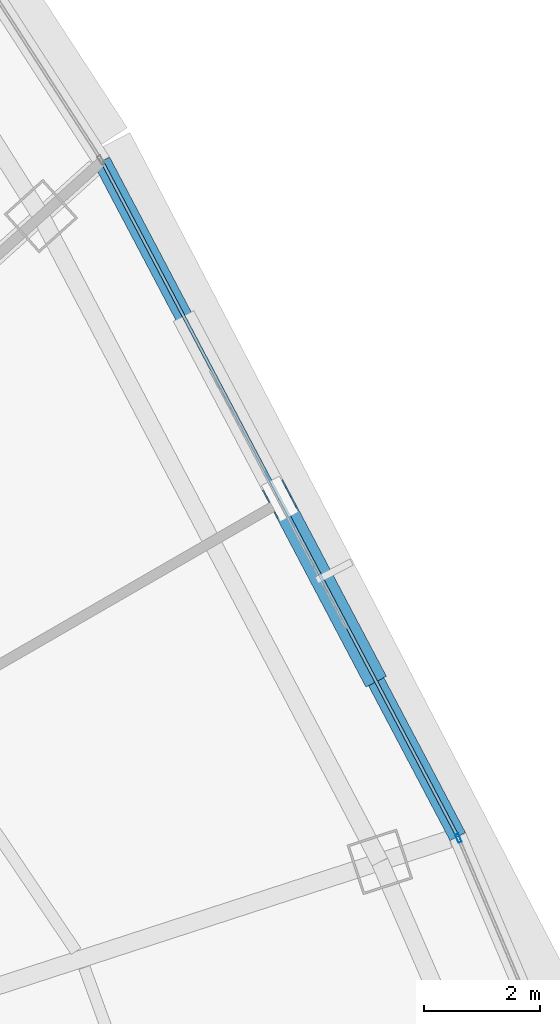
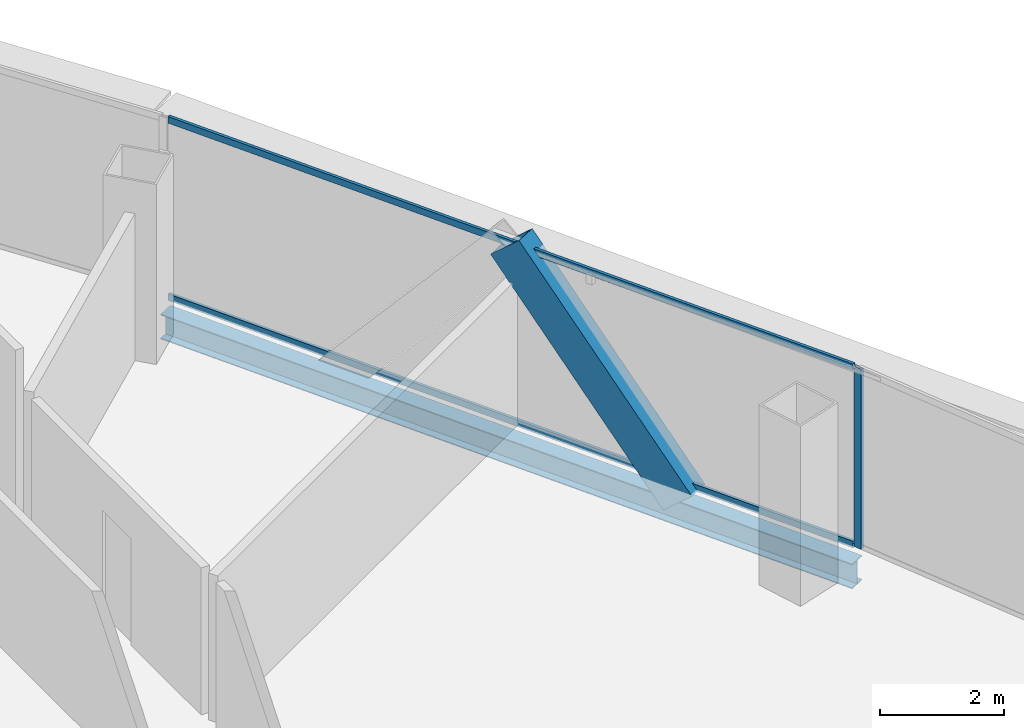
# One storey, part 25 of 36: 4 members, 1 beam, 2 elements without a shape of their own.
"""IFC4 building model written with IfcOpenShell, lengths in metres."""

from ifc_helpers import new_model, si_unit, direction, frame, origin, origin_2d, place, context, subcontext, project, spatial, hollow_rectangle, i_section, extrude, source, transform, mapped, material, layer, layer_set, material_profile, profile_set, type_object, element, aggregate, save


model = new_model("IFC4")

# Units and contexts
model_context = context("Model", 3, precision=1e-05, world=origin(), true_north=direction((0.0, 1.0)))
body_context = subcontext(model_context, "Body", "Model", "MODEL_VIEW")
ifc_project = project(units=[si_unit("LENGTHUNIT", "METRE"), si_unit("AREAUNIT", "SQUARE_METRE"), si_unit("VOLUMEUNIT", "CUBIC_METRE"), si_unit("PLANEANGLEUNIT", "RADIAN"), si_unit("MASSUNIT", "GRAM", prefix="KILO"), si_unit("THERMODYNAMICTEMPERATUREUNIT", "KELVIN"), si_unit("POWERUNIT", "WATT")], contexts=[model_context])

# Site, building, storey
site_placement = place(None, origin())
site = spatial("IfcSite", under=ifc_project, at=site_placement, CompositionType="ELEMENT")
building_placement = place(site_placement, origin())
building = spatial("IfcBuilding", under=site, at=building_placement, Name="Yunzhuo Pagoda Commons", CompositionType="ELEMENT")
storey_placement = place(building_placement, frame((0.0, 0.0, 211.360107421875)))
storey = spatial("IfcBuildingStorey", under=building, at=storey_placement, Name="L53", CompositionType="ELEMENT", Elevation=211.360107421875)

# Beam
ifc_material_1 = material(Name="Structural steel Q355B", Category="steel")
ifc_material_profile_1 = material_profile(ifc_material_1, i_section(OverallWidth=0.300048828125, OverallDepth=0.488037109375, WebThickness=0.010986328125, FlangeThickness=0.01806640625, at=origin_2d()), Name="Structural steel Q355B")
ifc_profile_set_1 = profile_set([ifc_material_profile_1], Name="Structural steel Q355B")
beam_type = type_object("IfcBeamType", Name="B-SP1 Beam HM 488x300x11x18", PredefinedType="BEAM", material=ifc_profile_set_1)
shared_shape_1 = source(origin(), body_context, "Body", "SweptSolid", [
    extrude(i_section(OverallWidth=0.300048828125, OverallDepth=0.488037109375, WebThickness=0.010986328125, FlangeThickness=0.01806640625, at=origin_2d()), origin(), (0.0, 0.0, 1.0), 13.16357421875),
])
beam_placement = place(storey_placement, frame((77.838134765625, 43.395263671875, -0.504150390625), z_axis=(-0.466148454191, 0.884706515549, 0.0), x_axis=(-0.884706515549, -0.466148454191, 0.0)))
element("IfcBeam", 1, at=beam_placement, inside=storey, type_object=beam_type, Name="L53 facade edge spandrel beam F2.2", PredefinedType="BEAM", context=body_context, shape_type="MappedRepresentation", body=[
    mapped(shared_shape_1, transform((0.0, 0.0, 0.0), scale=1.0)),
])

# Member
ifc_material_profile_2 = material_profile(ifc_material_1, hollow_rectangle(XDim=0.39990234375, YDim=0.719970703125, WallThickness=0.02392578125, at=origin_2d()), Name="Structural steel Q355B")
ifc_profile_set_2 = profile_set([ifc_material_profile_2], Name="Structural steel Q355B")
member_type_1 = type_object("IfcMemberType", Name="M-DL2 Brace BOX 720x400x24", PredefinedType="BRACE", material=ifc_profile_set_2)
shared_shape_2 = source(origin(), body_context, "Body", "SweptSolid", [
    extrude(hollow_rectangle(XDim=0.39990234375, YDim=0.719970703125, WallThickness=0.02392578125, at=origin_2d()), origin(), (0.0, 0.0, 1.0), 5.026611328125),
])
member_1_placement = place(storey_placement, frame((76.30419921875, 46.306640625, -0.260009765625), z_axis=(-0.305158311917, 0.579183967787, 0.755926144624), x_axis=(-0.884713753039, -0.466134717849, 0.0)))
element("IfcMember", 2, at=member_1_placement, inside=storey, type_object=member_type_1, Name="L53 facade diamond brace F2.2L", PredefinedType="BRACE", context=body_context, shape_type="MappedRepresentation", body=[
    mapped(shared_shape_2, transform((0.0, 0.0, 0.0), scale=1.0)),
])

# Curtain wall, member
ifc_material_2 = material(Name="Anodized aluminium 6063-T6", Category="aluminium")
ifc_layer = layer(ifc_material_2, 0.14990234375)
ifc_layer_set = layer_set([ifc_layer], Name="Anodized aluminium 6063-T6")
curtain_wall_type = type_object("IfcCurtainWallType", Name="CW-MID Mid-Zone Ribbon Curtain Wall", PredefinedType="NOTDEFINED", material=ifc_layer_set)
curtain_wall_1_placement = place(storey_placement, origin())
curtain_wall_1 = element("IfcCurtainWall", 3, at=curtain_wall_1_placement, inside=storey, type_object=curtain_wall_type, Name="L53 curtain wall CW-L53-F2B2", PredefinedType="NOTDEFINED")
ifc_material_profile_3 = material_profile(ifc_material_2, hollow_rectangle(XDim=0.06005859375, YDim=0.14990234375, WallThickness=0.00390625, at=origin_2d()), Name="Anodized aluminium 6063-T6")
ifc_profile_set_3 = profile_set([ifc_material_profile_3], Name="Anodized aluminium 6063-T6")
member_type_2 = type_object("IfcMemberType", Name="CW-MID-M Mullion RHS 150x60x4", PredefinedType="MULLION", material=ifc_profile_set_3)
shared_shape_3 = source(origin(), body_context, "Body", "SweptSolid", [
    extrude(hollow_rectangle(XDim=0.06005859375, YDim=0.14990234375, WallThickness=0.00390625, at=origin_2d()), origin(), (0.0, 0.0, 1.0), 3.539794921875),
])
member_2_placement = place(storey_placement, frame((77.85009765625, 43.367431640625, 0.0), z_axis=(0.0, 0.0, 1.0), x_axis=(-0.920979205321, -0.389611734123, 0.0)))
member_2 = element("IfcMember", 4, at=member_2_placement, type_object=member_type_2, Name="CW mullion 2", PredefinedType="MULLION", context=body_context, shape_type="MappedRepresentation", body=[
    mapped(shared_shape_3, transform((0.0, 0.0, 0.0), scale=1.0)),
])
aggregate(curtain_wall_1, [member_2])

# Curtain wall, members
curtain_wall_2_placement = place(storey_placement, origin())
curtain_wall_2 = element("IfcCurtainWall", 5, at=curtain_wall_2_placement, inside=storey, type_object=curtain_wall_type, Name="L53 curtain wall CW-L53-F2B3", PredefinedType="NOTDEFINED")
ifc_material_profile_4 = material_profile(ifc_material_2, hollow_rectangle(XDim=0.054931640625, YDim=0.1298828125, WallThickness=0.00341796875, at=origin_2d()), Name="Anodized aluminium 6063-T6")
ifc_profile_set_4 = profile_set([ifc_material_profile_4], Name="Anodized aluminium 6063-T6")
member_type_3 = type_object("IfcMemberType", Name="CW-MID-T Transom RHS 130x55x3.5", PredefinedType="USERDEFINED", material=ifc_profile_set_4)
shared_shape_4 = source(origin(), body_context, "Body", "SweptSolid", [
    extrude(hollow_rectangle(XDim=0.054931640625, YDim=0.1298828125, WallThickness=0.00341796875, at=origin_2d()), origin(), (0.0, 0.0, 1.0), 13.0439453125),
])
member_3_placement = place(storey_placement, frame((77.810302734375, 43.447998046875, 0.02734375), z_axis=(-0.466158312333, 0.884701321262, 0.0), x_axis=(-0.884701321262, -0.466158312333, 0.0)))
member_3 = element("IfcMember", 6, at=member_3_placement, type_object=member_type_3, Name="CW transom 1.1", ObjectType="TRANSOM", PredefinedType="USERDEFINED", context=body_context, shape_type="MappedRepresentation", body=[
    mapped(shared_shape_4, transform((0.0, 0.0, 0.0), scale=1.0)),
])
member_4_placement = place(storey_placement, frame((77.810302734375, 43.447998046875, 3.512451171875), z_axis=(-0.466158312333, 0.884701321262, 0.0), x_axis=(-0.884701321262, -0.466158312333, 0.0)))
member_4 = element("IfcMember", 7, at=member_4_placement, type_object=member_type_3, Name="CW transom 1.2", ObjectType="TRANSOM", PredefinedType="USERDEFINED", context=body_context, shape_type="MappedRepresentation", body=[
    mapped(shared_shape_4, transform((0.0, 0.0, 0.0), scale=1.0)),
])
aggregate(curtain_wall_2, [member_3, member_4])

save(model, "model.ifc")
